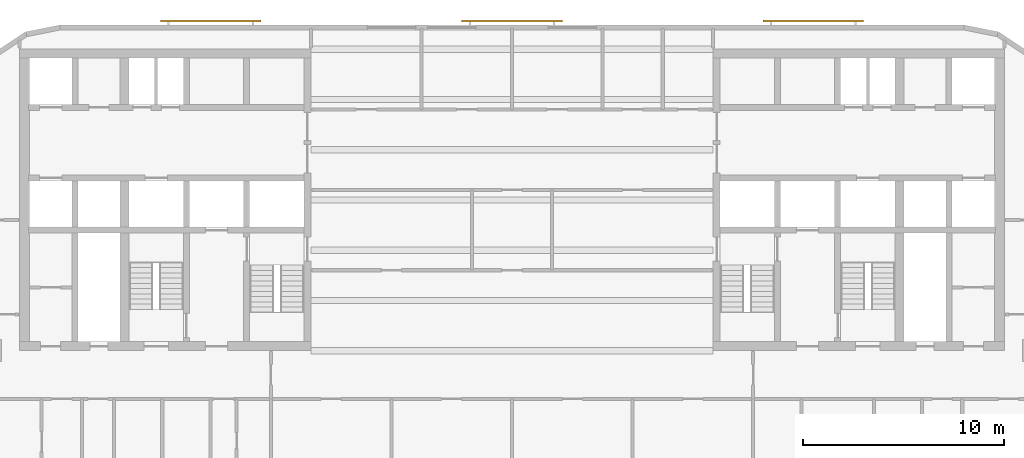
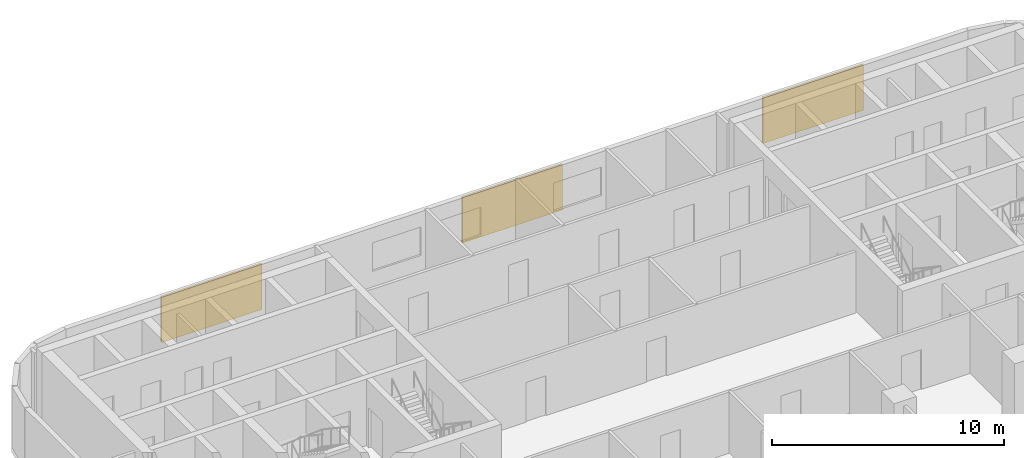
# One storey, part 10 of 11: 3 shading devices.
"""IFC4 building model written with IfcOpenShell, lengths in metres."""

from ifc_helpers import new_model, si_unit, direction, frame, origin, origin_2d, place, context, subcontext, project, spatial, rectangle, extrude, material, layer, layer_set, type_object, element, save


model = new_model("IFC4")

# Units and contexts
model_context = context("Model", 3, precision=1e-05, world=origin(), true_north=direction((0.0, 1.0)))
body_context = subcontext(model_context, "Body", "Model", "MODEL_VIEW")
ifc_project = project(units=[si_unit("LENGTHUNIT", "METRE"), si_unit("AREAUNIT", "SQUARE_METRE"), si_unit("VOLUMEUNIT", "CUBIC_METRE"), si_unit("PLANEANGLEUNIT", "RADIAN"), si_unit("MASSUNIT", "GRAM", prefix="KILO")], contexts=[model_context])

# Site, building, storey
site_placement = place(None, origin())
site = spatial("IfcSite", under=ifc_project, at=site_placement, CompositionType="ELEMENT")
building_placement = place(site_placement, origin())
building = spatial("IfcBuilding", under=site, at=building_placement, Name="Torana Hotel and Residences", CompositionType="ELEMENT")
storey_placement = place(building_placement, frame((0.0, 0.0, 243.10009765625)))
storey = spatial("IfcBuildingStorey", under=building, at=storey_placement, Name="L64", CompositionType="ELEMENT", Elevation=243.10009765625)

# Shading devices
ifc_material = material(Name="Concrete C40/50 precast", Category="concrete")
ifc_layer = layer(ifc_material, 0.10009765625)
ifc_layer_set = layer_set([ifc_layer], Name="SC1 PERFORATED BLOCK SCREEN PANEL 100")
shading_device_type = type_object("IfcShadingDeviceType", Name="SC1 PERFORATED BLOCK SCREEN PANEL 100", PredefinedType="USERDEFINED", material=ifc_layer_set)
for number, where, z_axis, x_axis, name in (
    (1, (14.983642578125, 1.39990234375, 0.5), (0.0, 0.0, 1.0), (-1.0, 0.0, 0.0), "Perforated block screen L64"),
    (2, (0.0, 1.39990234375, 0.5), (0.0, 0.0, 1.0), (-1.0, 0.0, 0.0), "Perforated block screen L64"),
    (3, (-14.983642578125, 1.39990234375, 0.5), (0.0, 0.0, 1.0), (-1.0, 0.0, 0.0), "Perforated block screen L64"),
):
    element("IfcShadingDevice", number, at=place(storey_placement, frame(where, z_axis=z_axis, x_axis=x_axis)), inside=storey, type_object=shading_device_type, Name=name, ObjectType="SCREEN", PredefinedType="USERDEFINED", context=body_context, shape_type="SweptSolid", body=[
        extrude(rectangle(XDim=5.0, YDim=0.10009765625, at=origin_2d()), origin(), (0.0, 0.0, 1.0), 2.39990234375),
    ])

save(model, "model.ifc")
